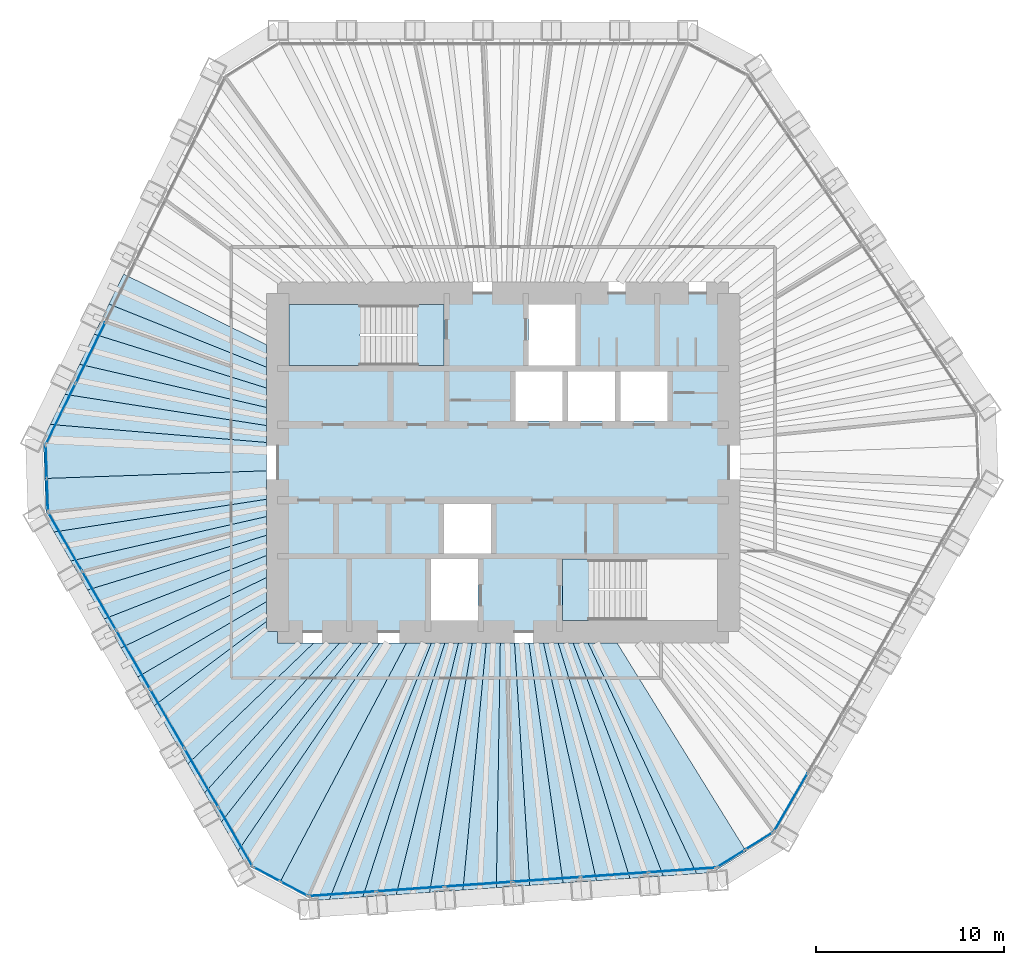
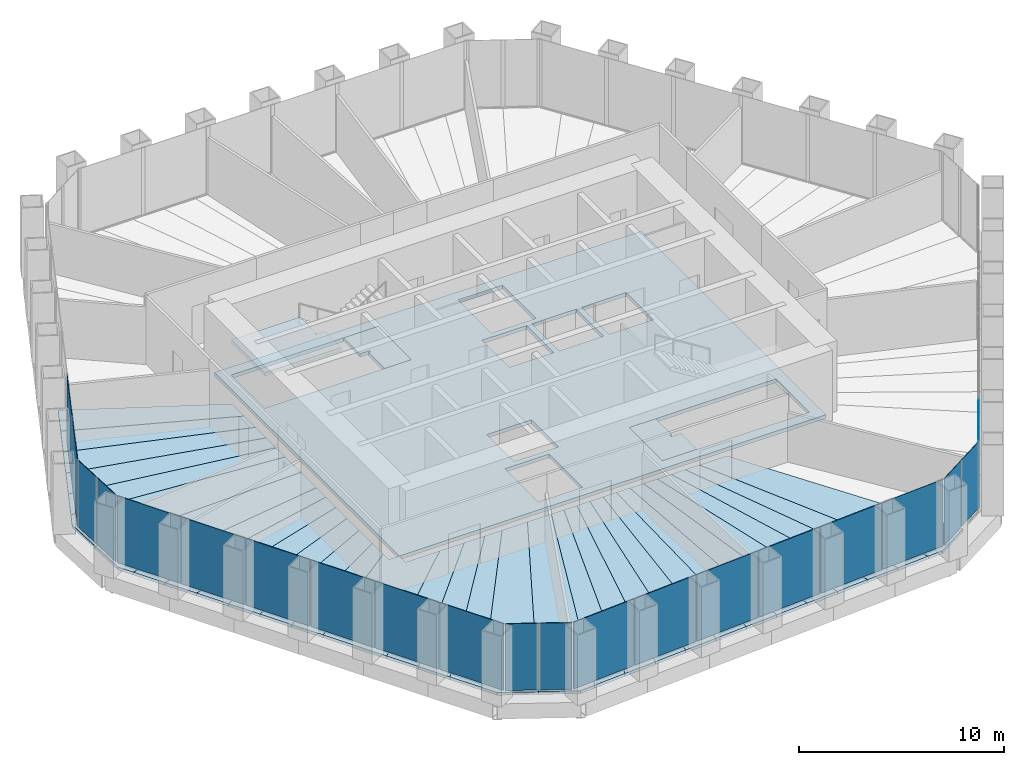
# One storey, part 8 of 14: 35 slabs, 21 plates, 9 elements without a shape of their own.
"""IFC4 building model written with IfcOpenShell, lengths in metres."""

from ifc_helpers import new_model, si_unit, direction, frame, origin, origin_2d, place, context, subcontext, project, spatial, polyline, rectangle, outline, extrude, material, layer, layer_set, type_object, element, aggregate, save


model = new_model("IFC4")

# Units and contexts
model_context = context("Model", 3, precision=1e-05, world=origin(), true_north=direction((0.0, 1.0)))
body_context = subcontext(model_context, "Body", "Model", "MODEL_VIEW")
ifc_project = project(units=[si_unit("LENGTHUNIT", "METRE"), si_unit("AREAUNIT", "SQUARE_METRE"), si_unit("VOLUMEUNIT", "CUBIC_METRE"), si_unit("PLANEANGLEUNIT", "RADIAN"), si_unit("MASSUNIT", "GRAM", prefix="KILO")], contexts=[model_context])

# Site, building, storey
site_placement = place(None, origin())
site = spatial("IfcSite", under=ifc_project, at=site_placement, CompositionType="ELEMENT")
building_placement = place(site_placement, origin())
building = spatial("IfcBuilding", under=site, at=building_placement, Name="Qingtian Harvest Tower", CompositionType="ELEMENT")
storey_placement = place(building_placement, frame((0.0, 0.0, 201.39990234375)))
storey = spatial("IfcBuildingStorey", under=building, at=storey_placement, Name="L43", CompositionType="ELEMENT", Elevation=201.39990234375)

# Slabs
ifc_material_1 = material(Name="Concrete fc' 35 MPa", Category="concrete")
ifc_layer_1 = layer(ifc_material_1, 0.169921875)
ifc_layer_set_1 = layer_set([ifc_layer_1], Name="Composite floor slab FS17 170")
slab_type_1 = type_object("IfcSlabType", Name="Composite floor slab FS17 170", PredefinedType="FLOOR", material=ifc_layer_set_1)
slab_1_placement = place(storey_placement, frame((0.0, 0.0, -0.169921875)))
element("IfcSlab", 1, at=slab_1_placement, inside=storey, type_object=slab_type_1, Name="Floor slab L43 panel D01", PredefinedType="FLOOR", context=body_context, shape_type="SweptSolid", body=[
    extrude(outline(polyline([(-24.403564453125, -0.852294921875), (-12.60009765625, -0.443115234375), (-12.60009765625, -1.958984375), (-23.9072265625, -3.701416015625), (-24.32958984375, -2.969970703125), (-24.403564453125, -0.852294921875)])), origin(), (0.0, 0.0, 1.0), 0.169921875),
])
slab_2_placement = place(storey_placement, frame((0.0, 0.0, -0.169921875)))
element("IfcSlab", 2, at=slab_2_placement, inside=storey, type_object=slab_type_1, Name="Floor slab L43 panel D02", PredefinedType="FLOOR", context=body_context, shape_type="SweptSolid", body=[
    extrude(outline(polyline([(-12.60009765625, -2.880126953125), (-23.016357421875, -5.244384765625), (-23.9072265625, -3.701416015625), (-12.60009765625, -1.958984375), (-12.60009765625, -2.880126953125)])), origin(), (0.0, 0.0, 1.0), 0.169921875),
])
slab_3_placement = place(storey_placement, frame((0.0, 0.0, -0.169921875)))
element("IfcSlab", 3, at=slab_3_placement, inside=storey, type_object=slab_type_1, Name="Floor slab L43 panel D03", PredefinedType="FLOOR", context=body_context, shape_type="SweptSolid", body=[
    extrude(outline(polyline([(-12.60009765625, -3.87548828125), (-22.12548828125, -6.78759765625), (-23.016357421875, -5.244384765625), (-12.60009765625, -2.880126953125), (-12.60009765625, -3.87548828125)])), origin(), (0.0, 0.0, 1.0), 0.169921875),
])
slab_4_placement = place(storey_placement, frame((0.0, 0.0, -0.169921875)))
element("IfcSlab", 4, at=slab_4_placement, inside=storey, type_object=slab_type_1, Name="Floor slab L43 panel D04", PredefinedType="FLOOR", context=body_context, shape_type="SweptSolid", body=[
    extrude(outline(polyline([(-12.60009765625, -4.95458984375), (-21.234619140625, -8.33056640625), (-22.12548828125, -6.78759765625), (-12.60009765625, -3.87548828125), (-12.60009765625, -4.95458984375)])), origin(), (0.0, 0.0, 1.0), 0.169921875),
])
slab_5_placement = place(storey_placement, frame((0.0, 0.0, -0.169921875)))
element("IfcSlab", 5, at=slab_5_placement, inside=storey, type_object=slab_type_1, Name="Floor slab L43 panel D05", PredefinedType="FLOOR", context=body_context, shape_type="SweptSolid", body=[
    extrude(outline(polyline([(-12.60009765625, -6.128173828125), (-20.34375, -9.87353515625), (-21.234619140625, -8.33056640625), (-12.60009765625, -4.95458984375), (-12.60009765625, -6.128173828125)])), origin(), (0.0, 0.0, 1.0), 0.169921875),
])
slab_6_placement = place(storey_placement, frame((0.0, 0.0, -0.169921875)))
element("IfcSlab", 6, at=slab_6_placement, inside=storey, type_object=slab_type_1, Name="Floor slab L43 panel D06", PredefinedType="FLOOR", context=body_context, shape_type="SweptSolid", body=[
    extrude(outline(polyline([(-12.60009765625, -7.409423828125), (-19.452880859375, -11.41650390625), (-20.34375, -9.87353515625), (-12.60009765625, -6.128173828125), (-12.60009765625, -7.409423828125)])), origin(), (0.0, 0.0, 1.0), 0.169921875),
])
slab_7_placement = place(storey_placement, frame((0.0, 0.0, -0.169921875)))
element("IfcSlab", 7, at=slab_7_placement, inside=storey, type_object=slab_type_1, Name="Floor slab L43 panel D07", PredefinedType="FLOOR", context=body_context, shape_type="SweptSolid", body=[
    extrude(outline(polyline([(-12.60009765625, -8.46435546875), (-18.5703125, -12.9453125), (-19.452880859375, -11.41650390625), (-12.60009765625, -7.409423828125), (-12.60009765625, -8.46435546875)])), origin(), (0.0, 0.0, 1.0), 0.169921875),
])
slab_8_placement = place(storey_placement, frame((0.0, 0.0, -0.169921875)))
element("IfcSlab", 8, at=slab_8_placement, inside=storey, type_object=slab_type_1, Name="Floor slab L43 panel D09", PredefinedType="FLOOR", context=body_context, shape_type="SweptSolid", body=[
    extrude(outline(polyline([(-16.781494140625, -16.043701171875), (-18.5703125, -12.9453125), (-12.60009765625, -8.46435546875), (-12.60009765625, -9.0), (-12.0, -9.0), (-12.0, -9.60009765625), (-10.07666015625, -9.60009765625), (-16.781494140625, -16.043701171875)])), origin(), (0.0, 0.0, 1.0), 0.169921875),
])
slab_9_placement = place(storey_placement, frame((0.0, 0.0, -0.169921875)))
element("IfcSlab", 9, at=slab_9_placement, inside=storey, type_object=slab_type_1, Name="Floor slab L43 panel D10", PredefinedType="FLOOR", context=body_context, shape_type="SweptSolid", body=[
    extrude(outline(polyline([(-8.700927734375, -9.60009765625), (-15.890380859375, -17.5869140625), (-16.781494140625, -16.043701171875), (-10.07666015625, -9.60009765625), (-8.700927734375, -9.60009765625)])), origin(), (0.0, 0.0, 1.0), 0.169921875),
])
slab_10_placement = place(storey_placement, frame((0.0, 0.0, -0.169921875)))
element("IfcSlab", 10, at=slab_10_placement, inside=storey, type_object=slab_type_1, Name="Floor slab L43 panel D11", PredefinedType="FLOOR", context=body_context, shape_type="SweptSolid", body=[
    extrude(outline(polyline([(-7.548095703125, -9.60009765625), (-14.99951171875, -19.1298828125), (-15.890380859375, -17.5869140625), (-8.700927734375, -9.60009765625), (-7.548095703125, -9.60009765625)])), origin(), (0.0, 0.0, 1.0), 0.169921875),
])
slab_11_placement = place(storey_placement, frame((0.0, 0.0, -0.169921875)))
element("IfcSlab", 11, at=slab_11_placement, inside=storey, type_object=slab_type_1, Name="Floor slab L43 panel D12", PredefinedType="FLOOR", context=body_context, shape_type="SweptSolid", body=[
    extrude(outline(polyline([(-6.568359375, -9.60009765625), (-14.108642578125, -20.673095703125), (-14.99951171875, -19.1298828125), (-7.548095703125, -9.60009765625), (-6.568359375, -9.60009765625)])), origin(), (0.0, 0.0, 1.0), 0.169921875),
])
slab_12_placement = place(storey_placement, frame((0.0, 0.0, -0.169921875)))
element("IfcSlab", 12, at=slab_12_placement, inside=storey, type_object=slab_type_1, Name="Floor slab L43 panel D13", PredefinedType="FLOOR", context=body_context, shape_type="SweptSolid", body=[
    extrude(outline(polyline([(-6.568359375, -9.60009765625), (-5.14501953125, -9.60009765625), (-11.890380859375, -22.359619140625), (-13.686279296875, -21.40478515625), (-14.108642578125, -20.673095703125), (-6.568359375, -9.60009765625)])), origin(), (0.0, 0.0, 1.0), 0.169921875),
])
slab_13_placement = place(storey_placement, frame((0.0, 0.0, -0.169921875)))
element("IfcSlab", 13, at=slab_13_placement, inside=storey, type_object=slab_type_1, Name="Floor slab L43 panel D14", PredefinedType="FLOOR", context=body_context, shape_type="SweptSolid", body=[
    extrude(outline(polyline([(-5.14501953125, -9.60009765625), (-3.817138671875, -9.60009765625), (-9.249755859375, -23.2568359375), (-10.092041015625, -23.315673828125), (-11.890380859375, -22.359619140625), (-5.14501953125, -9.60009765625)])), origin(), (0.0, 0.0, 1.0), 0.169921875),
])
slab_14_placement = place(storey_placement, frame((0.0, 0.0, -0.169921875)))
element("IfcSlab", 14, at=slab_14_placement, inside=storey, type_object=slab_type_1, Name="Floor slab L43 panel D15", PredefinedType="FLOOR", context=body_context, shape_type="SweptSolid", body=[
    extrude(outline(polyline([(-3.10009765625, -9.60009765625), (-7.472412109375, -23.132568359375), (-9.249755859375, -23.2568359375), (-3.817138671875, -9.60009765625), (-3.10009765625, -9.60009765625)])), origin(), (0.0, 0.0, 1.0), 0.169921875),
])
slab_15_placement = place(storey_placement, frame((0.0, 0.0, -0.169921875)))
element("IfcSlab", 15, at=slab_15_placement, inside=storey, type_object=slab_type_1, Name="Floor slab L43 panel D16", PredefinedType="FLOOR", context=body_context, shape_type="SweptSolid", body=[
    extrude(outline(polyline([(-2.375244140625, -9.60009765625), (-5.695068359375, -23.00830078125), (-7.472412109375, -23.132568359375), (-3.10009765625, -9.60009765625), (-2.375244140625, -9.60009765625)])), origin(), (0.0, 0.0, 1.0), 0.169921875),
])
slab_16_placement = place(storey_placement, frame((0.0, 0.0, -0.169921875)))
element("IfcSlab", 16, at=slab_16_placement, inside=storey, type_object=slab_type_1, Name="Floor slab L43 panel D17", PredefinedType="FLOOR", context=body_context, shape_type="SweptSolid", body=[
    extrude(outline(polyline([(-1.642578125, -9.60009765625), (-3.91796875, -22.884033203125), (-5.695068359375, -23.00830078125), (-2.375244140625, -9.60009765625), (-1.642578125, -9.60009765625)])), origin(), (0.0, 0.0, 1.0), 0.169921875),
])
slab_17_placement = place(storey_placement, frame((0.0, 0.0, -0.169921875)))
element("IfcSlab", 17, at=slab_17_placement, inside=storey, type_object=slab_type_1, Name="Floor slab L43 panel D18", PredefinedType="FLOOR", context=body_context, shape_type="SweptSolid", body=[
    extrude(outline(polyline([(-0.90185546875, -9.60009765625), (-2.140625, -22.759765625), (-3.91796875, -22.884033203125), (-1.642578125, -9.60009765625), (-0.90185546875, -9.60009765625)])), origin(), (0.0, 0.0, 1.0), 0.169921875),
])
slab_18_placement = place(storey_placement, frame((0.0, 0.0, -0.169921875)))
element("IfcSlab", 18, at=slab_18_placement, inside=storey, type_object=slab_type_1, Name="Floor slab L43 panel D19", PredefinedType="FLOOR", context=body_context, shape_type="SweptSolid", body=[
    extrude(outline(polyline([(-0.153076171875, -9.60009765625), (-0.36328125, -22.635498046875), (-2.140625, -22.759765625), (-0.90185546875, -9.60009765625), (-0.153076171875, -9.60009765625)])), origin(), (0.0, 0.0, 1.0), 0.169921875),
])
slab_19_placement = place(storey_placement, frame((0.0, 0.0, -0.169921875)))
element("IfcSlab", 19, at=slab_19_placement, inside=storey, type_object=slab_type_1, Name="Floor slab L43 panel D20", PredefinedType="FLOOR", context=body_context, shape_type="SweptSolid", body=[
    extrude(outline(polyline([(0.60400390625, -9.60009765625), (1.4140625, -22.51123046875), (-0.36328125, -22.635498046875), (-0.153076171875, -9.60009765625), (0.60400390625, -9.60009765625)])), origin(), (0.0, 0.0, 1.0), 0.169921875),
])
slab_20_placement = place(storey_placement, frame((0.0, 0.0, -0.169921875)))
element("IfcSlab", 20, at=slab_20_placement, inside=storey, type_object=slab_type_1, Name="Floor slab L43 panel D21", PredefinedType="FLOOR", context=body_context, shape_type="SweptSolid", body=[
    extrude(outline(polyline([(1.36962890625, -9.60009765625), (3.191162109375, -22.386962890625), (1.4140625, -22.51123046875), (0.60400390625, -9.60009765625), (1.36962890625, -9.60009765625)])), origin(), (0.0, 0.0, 1.0), 0.169921875),
])
slab_21_placement = place(storey_placement, frame((0.0, 0.0, -0.169921875)))
element("IfcSlab", 21, at=slab_21_placement, inside=storey, type_object=slab_type_1, Name="Floor slab L43 panel D22", PredefinedType="FLOOR", context=body_context, shape_type="SweptSolid", body=[
    extrude(outline(polyline([(2.1435546875, -9.60009765625), (4.968505859375, -22.2626953125), (3.191162109375, -22.386962890625), (1.36962890625, -9.60009765625), (2.1435546875, -9.60009765625)])), origin(), (0.0, 0.0, 1.0), 0.169921875),
])
slab_22_placement = place(storey_placement, frame((0.0, 0.0, -0.169921875)))
element("IfcSlab", 22, at=slab_22_placement, inside=storey, type_object=slab_type_1, Name="Floor slab L43 panel D23", PredefinedType="FLOOR", context=body_context, shape_type="SweptSolid", body=[
    extrude(outline(polyline([(2.92626953125, -9.60009765625), (6.745849609375, -22.138427734375), (4.968505859375, -22.2626953125), (2.1435546875, -9.60009765625), (2.92626953125, -9.60009765625)])), origin(), (0.0, 0.0, 1.0), 0.169921875),
])
slab_23_placement = place(storey_placement, frame((0.0, 0.0, -0.169921875)))
element("IfcSlab", 23, at=slab_23_placement, inside=storey, type_object=slab_type_1, Name="Floor slab L43 panel D24", PredefinedType="FLOOR", context=body_context, shape_type="SweptSolid", body=[
    extrude(outline(polyline([(3.718017578125, -9.60009765625), (8.523193359375, -22.01416015625), (6.745849609375, -22.138427734375), (2.92626953125, -9.60009765625), (3.718017578125, -9.60009765625)])), origin(), (0.0, 0.0, 1.0), 0.169921875),
])
slab_24_placement = place(storey_placement, frame((0.0, 0.0, -0.169921875)))
element("IfcSlab", 24, at=slab_24_placement, inside=storey, type_object=slab_type_1, Name="Floor slab L43 panel D25", PredefinedType="FLOOR", context=body_context, shape_type="SweptSolid", body=[
    extrude(outline(polyline([(4.5185546875, -9.60009765625), (10.30029296875, -21.889892578125), (8.523193359375, -22.01416015625), (3.718017578125, -9.60009765625), (4.5185546875, -9.60009765625)])), origin(), (0.0, 0.0, 1.0), 0.169921875),
])
slab_25_placement = place(storey_placement, frame((0.0, 0.0, -0.169921875)))
element("IfcSlab", 25, at=slab_25_placement, inside=storey, type_object=slab_type_1, Name="Floor slab L43 panel D26", PredefinedType="FLOOR", context=body_context, shape_type="SweptSolid", body=[
    extrude(outline(polyline([(4.5185546875, -9.60009765625), (6.059326171875, -9.60009765625), (12.94140625, -20.70703125), (11.142578125, -21.830810546875), (10.30029296875, -21.889892578125), (4.5185546875, -9.60009765625)])), origin(), (0.0, 0.0, 1.0), 0.169921875),
])
slab_26_placement = place(storey_placement, frame((0.0, 0.0, -0.169921875)))
element("IfcSlab", 26, at=slab_26_placement, inside=storey, type_object=slab_type_1, Name="Floor slab L43 panel D73", PredefinedType="FLOOR", context=body_context, shape_type="SweptSolid", body=[
    extrude(outline(polyline([(-12.60009765625, 5.072509765625), (-20.983154296875, 8.43017578125), (-20.201904296875, 10.031494140625), (-12.60009765625, 6.268310546875), (-12.60009765625, 5.072509765625)])), origin(), (0.0, 0.0, 1.0), 0.169921875),
])
slab_27_placement = place(storey_placement, frame((0.0, 0.0, -0.169921875)))
element("IfcSlab", 27, at=slab_27_placement, inside=storey, type_object=slab_type_1, Name="Floor slab L43 panel D74", PredefinedType="FLOOR", context=body_context, shape_type="SweptSolid", body=[
    extrude(outline(polyline([(-12.60009765625, 3.962890625), (-21.76416015625, 6.828857421875), (-20.983154296875, 8.43017578125), (-12.60009765625, 5.072509765625), (-12.60009765625, 3.962890625)])), origin(), (0.0, 0.0, 1.0), 0.169921875),
])
slab_28_placement = place(storey_placement, frame((0.0, 0.0, -0.169921875)))
element("IfcSlab", 28, at=slab_28_placement, inside=storey, type_object=slab_type_1, Name="Floor slab L43 panel D75", PredefinedType="FLOOR", context=body_context, shape_type="SweptSolid", body=[
    extrude(outline(polyline([(-12.60009765625, 2.929931640625), (-22.545166015625, 5.2275390625), (-21.76416015625, 6.828857421875), (-12.60009765625, 3.962890625), (-12.60009765625, 2.929931640625)])), origin(), (0.0, 0.0, 1.0), 0.169921875),
])
slab_29_placement = place(storey_placement, frame((0.0, 0.0, -0.169921875)))
element("IfcSlab", 29, at=slab_29_placement, inside=storey, type_object=slab_type_1, Name="Floor slab L43 panel D76", PredefinedType="FLOOR", context=body_context, shape_type="SweptSolid", body=[
    extrude(outline(polyline([(-12.60009765625, 1.96630859375), (-23.326171875, 3.626220703125), (-22.545166015625, 5.2275390625), (-12.60009765625, 2.929931640625), (-12.60009765625, 1.96630859375)])), origin(), (0.0, 0.0, 1.0), 0.169921875),
])
slab_30_placement = place(storey_placement, frame((0.0, 0.0, -0.169921875)))
element("IfcSlab", 30, at=slab_30_placement, inside=storey, type_object=slab_type_1, Name="Floor slab L43 panel D77", PredefinedType="FLOOR", context=body_context, shape_type="SweptSolid", body=[
    extrude(outline(polyline([(-12.60009765625, 1.065185546875), (-24.107177734375, 2.02490234375), (-23.326171875, 3.626220703125), (-12.60009765625, 1.96630859375), (-12.60009765625, 1.065185546875)])), origin(), (0.0, 0.0, 1.0), 0.169921875),
])
slab_31_placement = place(storey_placement, frame((0.0, 0.0, -0.169921875)))
element("IfcSlab", 31, at=slab_31_placement, inside=storey, type_object=slab_type_1, Name="Floor slab L43 panel D78", PredefinedType="FLOOR", context=body_context, shape_type="SweptSolid", body=[
    extrude(outline(polyline([(-12.60009765625, 1.065185546875), (-12.60009765625, -0.443115234375), (-24.403564453125, -0.852294921875), (-24.4775390625, 1.265625), (-24.107177734375, 2.02490234375), (-12.60009765625, 1.065185546875)])), origin(), (0.0, 0.0, 1.0), 0.169921875),
])
ifc_material_2 = material(Name="Concrete fc' 35 MPa", Category="concrete")
ifc_layer_2 = layer(ifc_material_2, 0.219970703125)
ifc_layer_set_2 = layer_set([ifc_layer_2], Name="Core floor slab CS22 220")
slab_type_2 = type_object("IfcSlabType", Name="Core floor slab CS22 220", PredefinedType="FLOOR", material=ifc_layer_set_2)
slab_32_placement = place(storey_placement, frame((0.0, 0.0, -0.219970703125)))
element("IfcSlab", 32, at=slab_32_placement, inside=storey, type_object=slab_type_2, Name="Core floor slab L43", PredefinedType="FLOOR", context=body_context, shape_type="SweptSolid", body=[
    extrude(outline(polyline([(-12.0, -9.0), (12.0, -9.0), (12.0, 9.0), (-12.0, 9.0), (-12.0, -9.0)]), holes=[polyline([(-11.39990234375, 5.14990234375), (-3.14990234375, 5.14990234375), (-3.14990234375, 8.39990234375), (-11.39990234375, 8.39990234375), (-11.39990234375, 5.14990234375)]), polyline([(3.14990234375, -8.39990234375), (11.39990234375, -8.39990234375), (11.39990234375, -5.14990234375), (3.14990234375, -5.14990234375), (3.14990234375, -8.39990234375)]), polyline([(1.35009765625, 5.14990234375), (3.85009765625, 5.14990234375), (3.85009765625, 8.39990234375), (1.35009765625, 8.39990234375), (1.35009765625, 5.14990234375)]), polyline([(-3.85009765625, -8.39990234375), (-1.35009765625, -8.39990234375), (-1.35009765625, -5.14990234375), (-3.85009765625, -5.14990234375), (-3.85009765625, -8.39990234375)]), polyline([(0.64990234375, 2.199951171875), (3.14990234375, 2.199951171875), (3.14990234375, 4.85009765625), (0.64990234375, 4.85009765625), (0.64990234375, 2.199951171875)]), polyline([(3.449951171875, 2.199951171875), (5.949951171875, 2.199951171875), (5.949951171875, 4.85009765625), (3.449951171875, 4.85009765625), (3.449951171875, 2.199951171875)]), polyline([(6.25, 2.199951171875), (8.75, 2.199951171875), (8.75, 4.85009765625), (6.25, 4.85009765625), (6.25, 2.199951171875)]), polyline([(-3.14990234375, -4.85009765625), (-0.64990234375, -4.85009765625), (-0.64990234375, -2.199951171875), (-3.14990234375, -2.199951171875), (-3.14990234375, -4.85009765625)])]), origin(), (0.0, 0.0, 1.0), 0.219970703125),
])

# Curtain wall, plate
ifc_material_3 = material(Name="Bronze-anodised aluminium curtain wall", Category="aluminium")
curtain_wall_type = type_object("IfcCurtainWallType", Name="Curtain wall CW4 office", PredefinedType="USERDEFINED", material=ifc_material_3)
curtain_wall_1_placement = place(storey_placement, origin())
curtain_wall_1 = element("IfcCurtainWall", 33, at=curtain_wall_1_placement, inside=storey, type_object=curtain_wall_type, Name="Curtain wall CW4 L43 SE0-5", ObjectType="RECESSED CURTAIN WALL", PredefinedType="USERDEFINED")
ifc_material_4 = material(Name="Bronze-tinted laminated insulating glass", Category="glass")
ifc_layer_3 = layer(ifc_material_4, 0.030029296875)
ifc_layer_set_3 = layer_set([ifc_layer_3], Name="Glazed panel CWP tinted IGU")
plate_type = type_object("IfcPlateType", Name="Glazed panel CWP tinted IGU", PredefinedType="CURTAIN_PANEL", material=ifc_layer_set_3)
plate_1_placement = place(storey_placement, frame((15.314208984375, -18.074951171875, 0.06494140625), z_axis=(0.0, 0.0, 1.0), x_axis=(-0.5, -0.866025403784, 0.0)))
plate_1 = element("IfcPlate", 34, at=plate_1_placement, type_object=plate_type, Name="CW4 panel 6.1", PredefinedType="CURTAIN_PANEL", context=body_context, shape_type="SweptSolid", body=[
    extrude(rectangle(XDim=3.5361328125, YDim=0.030029296875, at=origin_2d()), origin(), (0.0, 0.0, 1.0), 3.965087890625),
])
aggregate(curtain_wall_1, [plate_1])

# Curtain wall, plates
curtain_wall_2_placement = place(storey_placement, origin())
curtain_wall_2 = element("IfcCurtainWall", 35, at=curtain_wall_2_placement, inside=storey, type_object=curtain_wall_type, Name="Curtain wall CW4 L43 SEC", ObjectType="RECESSED CURTAIN WALL", PredefinedType="USERDEFINED")
plate_2_placement = place(storey_placement, frame((13.624755859375, -20.1455078125, 0.06494140625), z_axis=(0.0, 0.0, 1.0), x_axis=(-0.848048096156, -0.529919264233, 0.0)))
plate_2 = element("IfcPlate", 36, at=plate_2_placement, type_object=plate_type, Name="CW4 panel 1.1", PredefinedType="CURTAIN_PANEL", context=body_context, shape_type="SweptSolid", body=[
    extrude(rectangle(XDim=1.69287109375, YDim=0.030029296875, at=origin_2d()), origin(), (0.0, 0.0, 1.0), 3.965087890625),
])
plate_3_placement = place(storey_placement, frame((12.134033203125, -21.076904296875, 0.06494140625), z_axis=(0.0, 0.0, 1.0), x_axis=(-0.848048096156, -0.529919264233, 0.0)))
plate_3 = element("IfcPlate", 37, at=plate_3_placement, type_object=plate_type, Name="CW4 panel 2.1", PredefinedType="CURTAIN_PANEL", context=body_context, shape_type="SweptSolid", body=[
    extrude(rectangle(XDim=1.69287109375, YDim=0.030029296875, at=origin_2d()), origin(), (0.0, 0.0, 1.0), 3.965087890625),
])
aggregate(curtain_wall_2, [plate_2, plate_3])

curtain_wall_3_placement = place(storey_placement, origin())
curtain_wall_3 = element("IfcCurtainWall", 38, at=curtain_wall_3_placement, inside=storey, type_object=curtain_wall_type, Name="Curtain wall CW4 L43 S0-5", ObjectType="RECESSED CURTAIN WALL", PredefinedType="USERDEFINED")
plate_4_placement = place(storey_placement, frame((9.532470703125, -21.68798828125, 0.06494140625), z_axis=(0.0, 0.0, 1.0), x_axis=(-0.99756405026, -0.069756473744, 0.0)))
plate_4 = element("IfcPlate", 39, at=plate_4_placement, type_object=plate_type, Name="CW4 panel 1.1", PredefinedType="CURTAIN_PANEL", context=body_context, shape_type="SweptSolid", body=[
    extrude(rectangle(XDim=3.5361328125, YDim=0.030029296875, at=origin_2d()), origin(), (0.0, 0.0, 1.0), 3.965087890625),
])
plate_5_placement = place(storey_placement, frame((5.923828125, -21.940185546875, 0.06494140625), z_axis=(0.0, 0.0, 1.0), x_axis=(-0.99756405026, -0.069756473744, 0.0)))
plate_5 = element("IfcPlate", 40, at=plate_5_placement, type_object=plate_type, Name="CW4 panel 2.1", PredefinedType="CURTAIN_PANEL", context=body_context, shape_type="SweptSolid", body=[
    extrude(rectangle(XDim=3.568603515625, YDim=0.030029296875, at=origin_2d()), origin(), (0.0, 0.0, 1.0), 3.965087890625),
])
plate_6_placement = place(storey_placement, frame((2.299072265625, -22.193603515625, 0.06494140625), z_axis=(0.0, 0.0, 1.0), x_axis=(-0.99756405026, -0.069756473744, 0.0)))
plate_6 = element("IfcPlate", 41, at=plate_6_placement, type_object=plate_type, Name="CW4 panel 3.1", PredefinedType="CURTAIN_PANEL", context=body_context, shape_type="SweptSolid", body=[
    extrude(rectangle(XDim=3.568603515625, YDim=0.030029296875, at=origin_2d()), origin(), (0.0, 0.0, 1.0), 3.965087890625),
])
plate_7_placement = place(storey_placement, frame((-1.325439453125, -22.447021484375, 0.06494140625), z_axis=(0.0, 0.0, 1.0), x_axis=(-0.99756405026, -0.069756473744, 0.0)))
plate_7 = element("IfcPlate", 42, at=plate_7_placement, type_object=plate_type, Name="CW4 panel 4.1", PredefinedType="CURTAIN_PANEL", context=body_context, shape_type="SweptSolid", body=[
    extrude(rectangle(XDim=3.568603515625, YDim=0.030029296875, at=origin_2d()), origin(), (0.0, 0.0, 1.0), 3.965087890625),
])
plate_8_placement = place(storey_placement, frame((-4.9501953125, -22.70068359375, 0.06494140625), z_axis=(0.0, 0.0, 1.0), x_axis=(-0.99756405026, -0.069756473744, 0.0)))
plate_8 = element("IfcPlate", 43, at=plate_8_placement, type_object=plate_type, Name="CW4 panel 5.1", PredefinedType="CURTAIN_PANEL", context=body_context, shape_type="SweptSolid", body=[
    extrude(rectangle(XDim=3.568603515625, YDim=0.030029296875, at=origin_2d()), origin(), (0.0, 0.0, 1.0), 3.965087890625),
])
plate_9_placement = place(storey_placement, frame((-8.55859375, -22.952880859375, 0.06494140625), z_axis=(0.0, 0.0, 1.0), x_axis=(-0.99756405026, -0.069756473744, 0.0)))
plate_9 = element("IfcPlate", 44, at=plate_9_placement, type_object=plate_type, Name="CW4 panel 6.1", PredefinedType="CURTAIN_PANEL", context=body_context, shape_type="SweptSolid", body=[
    extrude(rectangle(XDim=3.5361328125, YDim=0.030029296875, at=origin_2d()), origin(), (0.0, 0.0, 1.0), 3.965087890625),
])
aggregate(curtain_wall_3, [plate_4, plate_5, plate_6, plate_7, plate_8, plate_9])

curtain_wall_4_placement = place(storey_placement, origin())
curtain_wall_4 = element("IfcCurtainWall", 45, at=curtain_wall_4_placement, inside=storey, type_object=curtain_wall_type, Name="Curtain wall CW4 L43 SC", ObjectType="RECESSED CURTAIN WALL", PredefinedType="USERDEFINED")
plate_10_placement = place(storey_placement, frame((-11.136474609375, -22.682373046875, 0.06494140625), z_axis=(0.0, 0.0, 1.0), x_axis=(-0.882947592859, 0.469471562786, 0.0)))
plate_10 = element("IfcPlate", 46, at=plate_10_placement, type_object=plate_type, Name="CW4 panel 1.1", PredefinedType="CURTAIN_PANEL", context=body_context, shape_type="SweptSolid", body=[
    extrude(rectangle(XDim=1.56689453125, YDim=0.030029296875, at=origin_2d()), origin(), (0.0, 0.0, 1.0), 3.965087890625),
])
plate_11_placement = place(storey_placement, frame((-12.5771484375, -21.916259765625, 0.06494140625), z_axis=(0.0, 0.0, 1.0), x_axis=(-0.882947592859, 0.469471562786, 0.0)))
plate_11 = element("IfcPlate", 47, at=plate_11_placement, type_object=plate_type, Name="CW4 panel 2.1", PredefinedType="CURTAIN_PANEL", context=body_context, shape_type="SweptSolid", body=[
    extrude(rectangle(XDim=1.56689453125, YDim=0.030029296875, at=origin_2d()), origin(), (0.0, 0.0, 1.0), 3.965087890625),
])
aggregate(curtain_wall_4, [plate_10, plate_11])

curtain_wall_5_placement = place(storey_placement, origin())
curtain_wall_5 = element("IfcCurtainWall", 48, at=curtain_wall_5_placement, inside=storey, type_object=curtain_wall_type, Name="Curtain wall CW4 L43 SW0-5", ObjectType="RECESSED CURTAIN WALL", PredefinedType="USERDEFINED")
plate_12_placement = place(storey_placement, frame((-14.242919921875, -19.9306640625, 0.06494140625), z_axis=(0.0, 0.0, 1.0), x_axis=(-0.5, 0.866025403784, 0.0)))
plate_12 = element("IfcPlate", 49, at=plate_12_placement, type_object=plate_type, Name="CW4 panel 1.1", PredefinedType="CURTAIN_PANEL", context=body_context, shape_type="SweptSolid", body=[
    extrude(rectangle(XDim=3.5361328125, YDim=0.030029296875, at=origin_2d()), origin(), (0.0, 0.0, 1.0), 3.965087890625),
])
plate_13_placement = place(storey_placement, frame((-16.051513671875, -16.7978515625, 0.06494140625), z_axis=(0.0, 0.0, 1.0), x_axis=(-0.5, 0.866025403784, 0.0)))
plate_13 = element("IfcPlate", 50, at=plate_13_placement, type_object=plate_type, Name="CW4 panel 2.1", PredefinedType="CURTAIN_PANEL", context=body_context, shape_type="SweptSolid", body=[
    extrude(rectangle(XDim=3.568603515625, YDim=0.030029296875, at=origin_2d()), origin(), (0.0, 0.0, 1.0), 3.965087890625),
])
plate_14_placement = place(storey_placement, frame((-17.868408203125, -13.651123046875, 0.06494140625), z_axis=(0.0, 0.0, 1.0), x_axis=(-0.5, 0.866025403784, 0.0)))
plate_14 = element("IfcPlate", 51, at=plate_14_placement, type_object=plate_type, Name="CW4 panel 3.1", PredefinedType="CURTAIN_PANEL", context=body_context, shape_type="SweptSolid", body=[
    extrude(rectangle(XDim=3.568603515625, YDim=0.030029296875, at=origin_2d()), origin(), (0.0, 0.0, 1.0), 3.965087890625),
])
plate_15_placement = place(storey_placement, frame((-19.68505859375, -10.50439453125, 0.06494140625), z_axis=(0.0, 0.0, 1.0), x_axis=(-0.5, 0.866025403784, 0.0)))
plate_15 = element("IfcPlate", 52, at=plate_15_placement, type_object=plate_type, Name="CW4 panel 4.1", PredefinedType="CURTAIN_PANEL", context=body_context, shape_type="SweptSolid", body=[
    extrude(rectangle(XDim=3.568603515625, YDim=0.030029296875, at=origin_2d()), origin(), (0.0, 0.0, 1.0), 3.965087890625),
])
plate_16_placement = place(storey_placement, frame((-21.501953125, -7.357666015625, 0.06494140625), z_axis=(0.0, 0.0, 1.0), x_axis=(-0.5, 0.866025403784, 0.0)))
plate_16 = element("IfcPlate", 53, at=plate_16_placement, type_object=plate_type, Name="CW4 panel 5.1", PredefinedType="CURTAIN_PANEL", context=body_context, shape_type="SweptSolid", body=[
    extrude(rectangle(XDim=3.568603515625, YDim=0.030029296875, at=origin_2d()), origin(), (0.0, 0.0, 1.0), 3.965087890625),
])
plate_17_placement = place(storey_placement, frame((-23.310546875, -4.22509765625, 0.06494140625), z_axis=(0.0, 0.0, 1.0), x_axis=(-0.5, 0.866025403784, 0.0)))
plate_17 = element("IfcPlate", 54, at=plate_17_placement, type_object=plate_type, Name="CW4 panel 6.1", PredefinedType="CURTAIN_PANEL", context=body_context, shape_type="SweptSolid", body=[
    extrude(rectangle(XDim=3.5361328125, YDim=0.030029296875, at=origin_2d()), origin(), (0.0, 0.0, 1.0), 3.965087890625),
])
aggregate(curtain_wall_5, [plate_12, plate_13, plate_14, plate_15, plate_16, plate_17])

curtain_wall_6_placement = place(storey_placement, origin())
curtain_wall_6 = element("IfcCurtainWall", 55, at=curtain_wall_6_placement, inside=storey, type_object=curtain_wall_type, Name="Curtain wall CW4 L43 SWC", ObjectType="RECESSED CURTAIN WALL", PredefinedType="USERDEFINED")
plate_18_placement = place(storey_placement, frame((-24.2587890625, -1.7265625, 0.06494140625), z_axis=(0.0, 0.0, 1.0), x_axis=(-0.034899496703, 0.999390827019, 0.0)))
plate_18 = element("IfcPlate", 56, at=plate_18_placement, type_object=plate_type, Name="CW4 panel 1.1", PredefinedType="CURTAIN_PANEL", context=body_context, shape_type="SweptSolid", body=[
    extrude(rectangle(XDim=1.69287109375, YDim=0.030029296875, at=origin_2d()), origin(), (0.0, 0.0, 1.0), 3.965087890625),
])
plate_19_placement = place(storey_placement, frame((-24.320068359375, 0.0302734375, 0.06494140625), z_axis=(0.0, 0.0, 1.0), x_axis=(-0.034899496703, 0.999390827019, 0.0)))
plate_19 = element("IfcPlate", 57, at=plate_19_placement, type_object=plate_type, Name="CW4 panel 2.1", PredefinedType="CURTAIN_PANEL", context=body_context, shape_type="SweptSolid", body=[
    extrude(rectangle(XDim=1.69287109375, YDim=0.030029296875, at=origin_2d()), origin(), (0.0, 0.0, 1.0), 3.965087890625),
])
aggregate(curtain_wall_6, [plate_18, plate_19])

curtain_wall_7_placement = place(storey_placement, origin())
curtain_wall_7 = element("IfcCurtainWall", 58, at=curtain_wall_7_placement, inside=storey, type_object=curtain_wall_type, Name="Curtain wall CW4 L43 NW0-5", ObjectType="RECESSED CURTAIN WALL", PredefinedType="USERDEFINED")
plate_20_placement = place(storey_placement, frame((-23.54833984375, 2.588623046875, 0.06494140625), z_axis=(0.0, 0.0, 1.0), x_axis=(0.438371146789, 0.898794046299, 0.0)))
plate_20 = element("IfcPlate", 59, at=plate_20_placement, type_object=plate_type, Name="CW4 panel 1.1", PredefinedType="CURTAIN_PANEL", context=body_context, shape_type="SweptSolid", body=[
    extrude(rectangle(XDim=3.5361328125, YDim=0.030029296875, at=origin_2d()), origin(), (0.0, 0.0, 1.0), 3.965087890625),
])
plate_21_placement = place(storey_placement, frame((-21.962646484375, 5.83984375, 0.06494140625), z_axis=(0.0, 0.0, 1.0), x_axis=(0.438371146789, 0.898794046299, 0.0)))
plate_21 = element("IfcPlate", 60, at=plate_21_placement, type_object=plate_type, Name="CW4 panel 2.1", PredefinedType="CURTAIN_PANEL", context=body_context, shape_type="SweptSolid", body=[
    extrude(rectangle(XDim=3.568603515625, YDim=0.030029296875, at=origin_2d()), origin(), (0.0, 0.0, 1.0), 3.965087890625),
])
aggregate(curtain_wall_7, [plate_20, plate_21])

# Stair, slabs
ifc_material_5 = material(Name="Concrete fc' 35 MPa", Category="concrete")
stair_type = type_object("IfcStairType", Name="Special stair ST4 4200", PredefinedType="HALF_TURN_STAIR", material=ifc_material_5)
stair_1_placement = place(storey_placement, origin())
stair_1 = element("IfcStair", 61, at=stair_1_placement, inside=storey, type_object=stair_type, Name="Special stair S1 L43", PredefinedType="HALF_TURN_STAIR")
ifc_material_6 = material(Name="Concrete fc' 35 MPa", Category="concrete")
ifc_layer_4 = layer(ifc_material_6, 0.199951171875)
ifc_layer_set_4 = layer_set([ifc_layer_4], Name="Stair landing SL2 200")
slab_type_3 = type_object("IfcSlabType", Name="Stair landing SL2 200", PredefinedType="LANDING", material=ifc_layer_set_4)
slab_33_placement = place(storey_placement, frame((0.0, 0.0, -0.199951171875)))
slab_33 = element("IfcSlab", 62, at=slab_33_placement, type_object=slab_type_3, Name="S1 landing 1", PredefinedType="LANDING", context=body_context, shape_type="SweptSolid", body=[
    extrude(outline(polyline([(-4.64990234375, 5.14990234375), (-4.64990234375, 6.72509765625), (-4.550048828125, 6.72509765625), (-4.550048828125, 6.824951171875), (-5.0849609375, 6.824951171875), (-5.0849609375, 8.39990234375), (-3.14990234375, 8.39990234375), (-3.14990234375, 5.14990234375), (-4.64990234375, 5.14990234375)])), origin(), (0.0, 0.0, 1.0), 0.199951171875),
])
slab_34_placement = place(storey_placement, frame((0.0, 0.0, 1.900146484375)))
slab_34 = element("IfcSlab", 63, at=slab_34_placement, type_object=slab_type_3, Name="S1 landing 2", PredefinedType="LANDING", context=body_context, shape_type="SweptSolid", body=[
    extrude(outline(polyline([(-7.094970703125, 5.14990234375), (-11.39990234375, 5.14990234375), (-11.39990234375, 8.39990234375), (-7.530029296875, 8.39990234375), (-7.530029296875, 6.824951171875), (-7.6298828125, 6.824951171875), (-7.6298828125, 6.72509765625), (-7.094970703125, 6.72509765625), (-7.094970703125, 5.14990234375)])), origin(), (0.0, 0.0, 1.0), 0.199951171875),
])
aggregate(stair_1, [slab_33, slab_34])

# Stair, slab
stair_2_placement = place(storey_placement, origin())
stair_2 = element("IfcStair", 64, at=stair_2_placement, inside=storey, type_object=stair_type, Name="Special stair S2 L43", PredefinedType="HALF_TURN_STAIR")
slab_35_placement = place(storey_placement, frame((0.0, 0.0, -0.199951171875)))
slab_35 = element("IfcSlab", 65, at=slab_35_placement, type_object=slab_type_3, Name="S2 landing 1", PredefinedType="LANDING", context=body_context, shape_type="SweptSolid", body=[
    extrude(outline(polyline([(5.0849609375, -8.39990234375), (3.14990234375, -8.39990234375), (3.14990234375, -5.14990234375), (4.64990234375, -5.14990234375), (4.64990234375, -6.72509765625), (4.550048828125, -6.72509765625), (4.550048828125, -6.824951171875), (5.0849609375, -6.824951171875), (5.0849609375, -8.39990234375)])), origin(), (0.0, 0.0, 1.0), 0.199951171875),
])
aggregate(stair_2, [slab_35])

save(model, "model.ifc")
